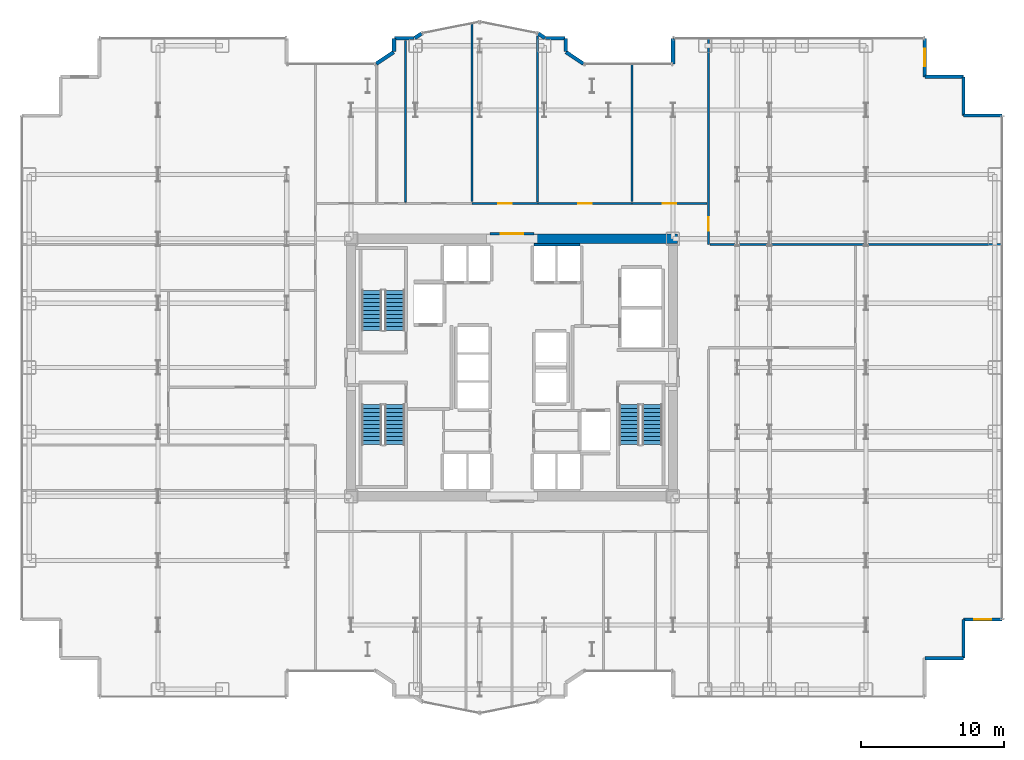
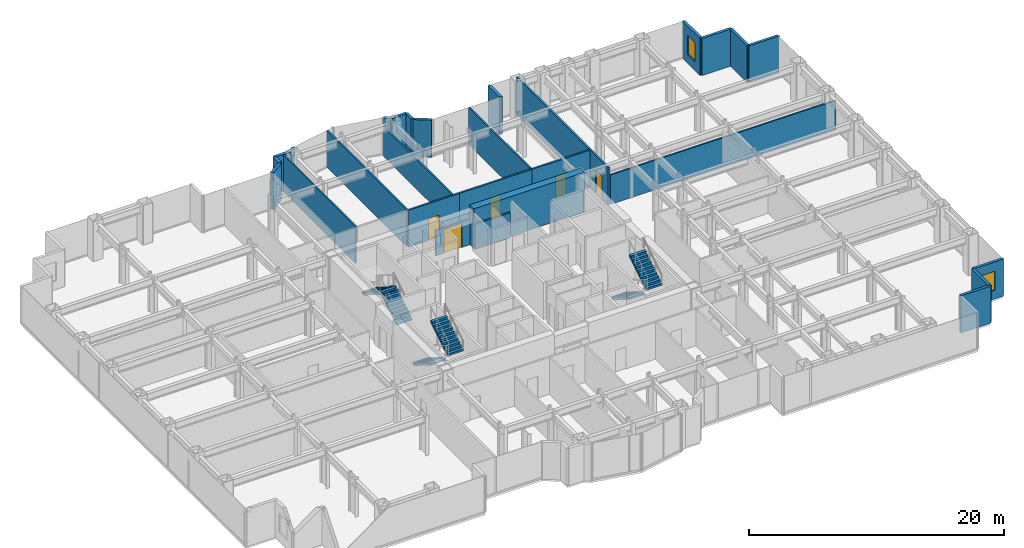
# One storey, part 24 of 25: 28 walls, 6 stair flights, 5 doors, 2 windows, 7 openings, 3 elements without a shape of their own.
"""IFC4 building model written with IfcOpenShell, lengths in metres."""

from ifc_helpers import new_model, si_unit, direction, frame, frame_2d, origin, place, context, subcontext, project, spatial, polyline, rectangle, outline, extrude, source, transform, mapped, material, layer, layer_set, type_object, element, fill, aggregate, save


model = new_model("IFC4")

# Units and contexts
model_context = context("Model", 3, precision=1e-05, world=origin(), true_north=direction((0.0, 1.0)))
body_context = subcontext(model_context, "Body", "Model", "MODEL_VIEW")
ifc_project = project(units=[si_unit("LENGTHUNIT", "METRE"), si_unit("AREAUNIT", "SQUARE_METRE"), si_unit("VOLUMEUNIT", "CUBIC_METRE"), si_unit("PLANEANGLEUNIT", "RADIAN"), si_unit("MASSUNIT", "GRAM", prefix="KILO")], contexts=[model_context])

# Site, building, storey
site_placement = place(None, origin())
site = spatial("IfcSite", under=ifc_project, at=site_placement, CompositionType="ELEMENT")
building_placement = place(site_placement, origin())
building = spatial("IfcBuilding", under=site, at=building_placement, Name="Nefas-Gora Pilgrimage Tower", CompositionType="ELEMENT")
storey_placement = place(building_placement, frame((0.0, 0.0, 71.0)))
storey = spatial("IfcBuildingStorey", under=building, at=storey_placement, Name="L16", CompositionType="ELEMENT", Elevation=71.0)

# Walls
ifc_material_1 = material(Name="Concrete C60/75", Category="concrete")
ifc_layer_1 = layer(ifc_material_1, 0.64990234375)
ifc_layer_set_1 = layer_set([ifc_layer_1], Name="Concrete C60/75")
wall_type_1 = type_object("IfcWallType", Name="SW-CORE-650", PredefinedType="SHEAR", material=ifc_layer_set_1)
shared_shape_1 = source(origin(), body_context, "Body", "SweptSolid", [
    extrude(rectangle(XDim=10.02490234375, YDim=0.64990234375, at=frame_2d((5.012451171875, 0.0))), origin(), (0.0, 0.0, 1.0), 3.800048828125),
])
wall_1_placement = place(storey_placement, frame((1.550048828125, 9.0, 0.0), z_axis=(0.0, 0.0, 1.0), x_axis=(1.0, 0.0, 0.0)))
element("IfcWall", 1, at=wall_1_placement, inside=storey, type_object=wall_type_1, Name="L16 Core Shear Wall N-East", PredefinedType="SHEAR", context=body_context, shape_type="MappedRepresentation", body=[
    mapped(shared_shape_1, transform((0.0, 0.0, 0.0), x_axis=(1.0, 0.0, 0.0), y_axis=(0.0, 1.0, 0.0), z_axis=(0.0, 0.0, 1.0), scale=1.0)),
])
ifc_material_2 = material(Name="Precast concrete C40/50", Category="concrete")
ifc_layer_2 = layer(ifc_material_2, 0.260009765625)
ifc_layer_set_2 = layer_set([ifc_layer_2], Name="Precast concrete C40/50")
wall_type_2 = type_object("IfcWallType", Name="EW-PORTAL-260", PredefinedType="SOLIDWALL", material=ifc_layer_set_2)
shared_shape_2 = source(origin(), body_context, "Body", "SweptSolid", [
    extrude(rectangle(XDim=1.800048828125, YDim=0.260009765625, at=frame_2d((0.89990234375, 0.0))), origin(), (0.0, 0.0, 1.0), 3.550048828125),
])
wall_2_placement = place(storey_placement, frame((11.25, 23.02001953125, 0.0), z_axis=(0.0, 0.0, 1.0), x_axis=(0.0, -1.0, 0.0)))
element("IfcWall", 2, at=wall_2_placement, inside=storey, type_object=wall_type_2, Name="L16 Lobe Shoulder Precast Spandrel Pier 10", PredefinedType="SOLIDWALL", context=body_context, shape_type="MappedRepresentation", body=[
    mapped(shared_shape_2, transform((0.0, 0.0, 0.0), x_axis=(1.0, 0.0, 0.0), y_axis=(0.0, 1.0, 0.0), z_axis=(0.0, 0.0, 1.0), scale=1.0)),
])
ifc_material_3 = material(Name="Precast concrete C45/55", Category="concrete")
ifc_layer_3 = layer(ifc_material_3, 0.239990234375)
ifc_layer_set_3 = layer_set([ifc_layer_3], Name="Precast concrete C45/55")
wall_type_3 = type_object("IfcWallType", Name="EW-SERR-240", PredefinedType="SHEAR", material=ifc_layer_set_3)
shared_shape_3 = source(origin(), body_context, "Body", "SweptSolid", [
    extrude(rectangle(XDim=2.699951171875, YDim=0.239990234375, at=frame_2d((1.35009765625, 0.0))), origin(), (0.0, 0.0, 1.0), 3.550048828125),
])
for number, where, z_axis, x_axis, name in (
    (3, (28.8701171875, -20.320068359375, 0.0), (0.0, 0.0, 1.0), (1.0, 0.0, 0.0), "L16 Serrated Corner Shear Pier Wall 3"),
    (4, (31.570068359375, -20.320068359375, 0.0), (0.0, 0.0, 1.0), (0.0, 1.0, 0.0), "L16 Serrated Corner Shear Pier Wall 4"),
):
    element("IfcWall", number, at=place(storey_placement, frame(where, z_axis=z_axis, x_axis=x_axis)), inside=storey, type_object=wall_type_3, Name=name, PredefinedType="SHEAR", context=body_context, shape_type="MappedRepresentation", body=[
        mapped(shared_shape_3, transform((0.0, 0.0, 0.0), x_axis=(1.0, 0.0, 0.0), y_axis=(0.0, 1.0, 0.0), z_axis=(0.0, 0.0, 1.0), scale=1.0)),
    ])

# Wall, opening, window
wall_3_placement = place(storey_placement, frame((31.570068359375, -17.6201171875, 0.0), z_axis=(0.0, 0.0, 1.0), x_axis=(1.0, 0.0, 0.0)))
wall_3 = element("IfcWall", 5, at=wall_3_placement, inside=storey, type_object=wall_type_3, Name="L16 Serrated Corner Shear Pier Wall 5", PredefinedType="SHEAR", context=body_context, shape_type="MappedRepresentation", body=[
    mapped(shared_shape_3, transform((0.0, 0.0, 0.0), x_axis=(1.0, 0.0, 0.0), y_axis=(0.0, 1.0, 0.0), z_axis=(0.0, 0.0, 1.0), scale=1.0)),
])
opening_1_placement = place(wall_3_placement, frame((0.75, 0.0, 0.85009765625)))
opening_1 = element("IfcOpeningElement", 6, at=opening_1_placement, cuts=wall_3, Name="Opening W-V1", PredefinedType="OPENING", context=body_context, shape_type="SweptSolid", body=[
    extrude(rectangle(XDim=1.199951171875, YDim=1.800048828125, at=frame_2d((0.60009765625, 0.89990234375))), frame((0.0, 0.1298828125, 0.0), z_axis=(0.0, -1.0, 0.0), x_axis=(1.0, 0.0, 0.0)), (0.0, 0.0, 1.0), 0.260009765625),
])
ifc_material_4 = material(Name="Dark ceramic-fritted operable aluminium-glass window", Category="aluminium")
window_type = type_object("IfcWindowType", Name="WIN-VENT-1200x1800", PartitioningType="SINGLE_PANEL", PredefinedType="WINDOW", material=ifc_material_4)
shared_shape_4 = source(origin(), body_context, "Body", "SweptSolid", [
    extrude(rectangle(XDim=1.199951171875, YDim=1.800048828125, at=frame_2d((0.60009765625, 0.89990234375))), frame((0.0, 0.030029296875, 0.0), z_axis=(0.0, -1.0, 0.0), x_axis=(1.0, 0.0, 0.0)), (0.0, 0.0, 1.0), 0.06005859375),
])
window_1_placement = place(opening_1_placement, origin())
window_1 = element("IfcWindow", 7, at=window_1_placement, inside=storey, type_object=window_type, Name="L16 Operable Parallel-Outswing Window 5", OverallHeight=1.800048828125, OverallWidth=1.199951171875, PartitioningType="SINGLE_PANEL", PredefinedType="WINDOW", context=body_context, shape_type="MappedRepresentation", body=[
    mapped(shared_shape_4, transform((0.0, 0.0, 0.0), x_axis=(1.0, 0.0, 0.0), y_axis=(0.0, 1.0, 0.0), z_axis=(0.0, 0.0, 1.0), scale=1.0)),
])
fill(opening_1, window_1)

# Walls
for number, where, z_axis, x_axis, name in (
    (8, (34.27001953125, 17.6201171875, 0.0), (0.0, 0.0, 1.0), (-1.0, 0.0, 0.0), "L16 Serrated Corner Shear Pier Wall 6"),
    (9, (31.570068359375, 17.6201171875, 0.0), (0.0, 0.0, 1.0), (0.0, 1.0, 0.0), "L16 Serrated Corner Shear Pier Wall 7"),
    (10, (31.570068359375, 20.320068359375, 0.0), (0.0, 0.0, 1.0), (-1.0, 0.0, 0.0), "L16 Serrated Corner Shear Pier Wall 8"),
):
    element("IfcWall", number, at=place(storey_placement, frame(where, z_axis=z_axis, x_axis=x_axis)), inside=storey, type_object=wall_type_3, Name=name, PredefinedType="SHEAR", context=body_context, shape_type="MappedRepresentation", body=[
        mapped(shared_shape_3, transform((0.0, 0.0, 0.0), x_axis=(1.0, 0.0, 0.0), y_axis=(0.0, 1.0, 0.0), z_axis=(0.0, 0.0, 1.0), scale=1.0)),
    ])

# Wall, opening, window
wall_4_placement = place(storey_placement, frame((28.8701171875, 20.320068359375, 0.0), z_axis=(0.0, 0.0, 1.0), x_axis=(0.0, 1.0, 0.0)))
wall_4 = element("IfcWall", 11, at=wall_4_placement, inside=storey, type_object=wall_type_3, Name="L16 Serrated Corner Shear Pier Wall 9", PredefinedType="SHEAR", context=body_context, shape_type="MappedRepresentation", body=[
    mapped(shared_shape_3, transform((0.0, 0.0, 0.0), x_axis=(1.0, 0.0, 0.0), y_axis=(0.0, 1.0, 0.0), z_axis=(0.0, 0.0, 1.0), scale=1.0)),
])
opening_2_placement = place(wall_4_placement, frame((0.75, 0.0, 0.85009765625)))
opening_2 = element("IfcOpeningElement", 12, at=opening_2_placement, cuts=wall_4, Name="Opening W-V1", PredefinedType="OPENING", context=body_context, shape_type="SweptSolid", body=[
    extrude(rectangle(XDim=1.199951171875, YDim=1.800048828125, at=frame_2d((0.60009765625, 0.89990234375))), frame((0.0, 0.1298828125, 0.0), z_axis=(0.0, -1.0, 0.0), x_axis=(1.0, 0.0, 0.0)), (0.0, 0.0, 1.0), 0.260009765625),
])
window_2_placement = place(opening_2_placement, origin())
window_2 = element("IfcWindow", 13, at=window_2_placement, inside=storey, type_object=window_type, Name="L16 Operable Parallel-Outswing Window 9", OverallHeight=1.800048828125, OverallWidth=1.199951171875, PartitioningType="SINGLE_PANEL", PredefinedType="WINDOW", context=body_context, shape_type="MappedRepresentation", body=[
    mapped(shared_shape_4, transform((0.0, 0.0, 0.0), x_axis=(1.0, 0.0, 0.0), y_axis=(0.0, 1.0, 0.0), z_axis=(0.0, 0.0, 1.0), scale=1.0)),
])
fill(opening_2, window_2)

# Walls
shared_shape_5 = source(origin(), body_context, "Body", "SweptSolid", [
    extrude(rectangle(XDim=1.468994140625, YDim=0.260009765625, at=frame_2d((0.734375, 0.0))), origin(), (0.0, 0.0, 1.0), 3.550048828125),
])
for number, where, z_axis, x_axis, name in (
    (14, (4.99462890625, 21.235595703125, 0.0), (0.0, 0.0, 1.0), (-0.831461760506, 0.555581983884, 0.0), "L16 Lobe Shoulder Precast Spandrel Pier 11"),
    (15, (-8.273193359375, 22.0517578125, 0.0), (0.0, 0.0, 1.0), (-0.831461760506, -0.555581983884, 0.0), "L16 Lobe Shoulder Precast Spandrel Pier 18"),
):
    element("IfcWall", number, at=place(storey_placement, frame(where, z_axis=z_axis, x_axis=x_axis)), inside=storey, type_object=wall_type_2, Name=name, PredefinedType="SOLIDWALL", context=body_context, shape_type="MappedRepresentation", body=[
        mapped(shared_shape_5, transform((0.0, 0.0, 0.0), x_axis=(1.0, 0.0, 0.0), y_axis=(0.0, 1.0, 0.0), z_axis=(0.0, 0.0, 1.0), scale=1.0)),
    ])
shared_shape_6 = source(origin(), body_context, "Body", "SweptSolid", [
    extrude(rectangle(XDim=0.896728515625, YDim=0.260009765625, at=frame_2d((0.4482421875, 0.0))), origin(), (0.0, 0.0, 1.0), 3.550048828125),
])
for number, where, z_axis, x_axis, name in (
    (16, (3.75, 22.09521484375, 0.0), (0.0, 0.0, 1.0), (0.0, 1.0, 0.0), "L16 Lobe Shoulder Precast Spandrel Pier 12"),
    (17, (-8.25, 22.991943359375, 0.0), (0.0, 0.0, 1.0), (0.0, -1.0, 0.0), "L16 Lobe Shoulder Precast Spandrel Pier 17"),
):
    element("IfcWall", number, at=place(storey_placement, frame(where, z_axis=z_axis, x_axis=x_axis)), inside=storey, type_object=wall_type_2, Name=name, PredefinedType="SOLIDWALL", context=body_context, shape_type="MappedRepresentation", body=[
        mapped(shared_shape_6, transform((0.0, 0.0, 0.0), x_axis=(1.0, 0.0, 0.0), y_axis=(0.0, 1.0, 0.0), z_axis=(0.0, 0.0, 1.0), scale=1.0)),
    ])
shared_shape_7 = source(origin(), body_context, "Body", "SweptSolid", [
    extrude(rectangle(XDim=1.369873046875, YDim=0.260009765625, at=frame_2d((0.68505859375, 0.0))), origin(), (0.0, 0.0, 1.0), 3.550048828125),
])
for number, where, z_axis, x_axis, name in (
    (18, (3.721923828125, 23.02001953125, 0.0), (0.0, 0.0, 1.0), (-1.0, 0.0, 0.0), "L16 Lobe Shoulder Precast Spandrel Pier 13"),
    (19, (-6.85205078125, 23.02001953125, 0.0), (0.0, 0.0, 1.0), (-1.0, 0.0, 0.0), "L16 Lobe Shoulder Precast Spandrel Pier 16"),
):
    element("IfcWall", number, at=place(storey_placement, frame(where, z_axis=z_axis, x_axis=x_axis)), inside=storey, type_object=wall_type_2, Name=name, PredefinedType="SOLIDWALL", context=body_context, shape_type="MappedRepresentation", body=[
        mapped(shared_shape_7, transform((0.0, 0.0, 0.0), x_axis=(1.0, 0.0, 0.0), y_axis=(0.0, 1.0, 0.0), z_axis=(0.0, 0.0, 1.0), scale=1.0)),
    ])
shared_shape_8 = source(origin(), body_context, "Body", "SweptSolid", [
    extrude(rectangle(XDim=0.5654296875, YDim=0.260009765625, at=frame_2d((0.28271484375, 0.0))), origin(), (0.0, 0.0, 1.0), 3.550048828125),
])
for number, where, z_axis, x_axis, name in (
    (20, (2.30078125, 23.03564453125, 0.0), (0.0, 0.0, 1.0), (-0.831651492666, 0.555297933317, 0.0), "L16 Lobe Shoulder Precast Spandrel Pier 14"),
    (21, (-6.33056640625, 23.349609375, 0.0), (0.0, 0.0, 1.0), (-0.831651492666, -0.555297933317, 0.0), "L16 Lobe Shoulder Precast Spandrel Pier 15"),
):
    element("IfcWall", number, at=place(storey_placement, frame(where, z_axis=z_axis, x_axis=x_axis)), inside=storey, type_object=wall_type_2, Name=name, PredefinedType="SOLIDWALL", context=body_context, shape_type="MappedRepresentation", body=[
        mapped(shared_shape_8, transform((0.0, 0.0, 0.0), x_axis=(1.0, 0.0, 0.0), y_axis=(0.0, 1.0, 0.0), z_axis=(0.0, 0.0, 1.0), scale=1.0)),
    ])
ifc_material_5 = material(Name="Gypsum acoustic stud partition")
ifc_layer_4 = layer(ifc_material_5, 0.159912109375)
ifc_layer_set_4 = layer_set([ifc_layer_4], Name="Gypsum acoustic stud partition")
wall_type_4 = type_object("IfcWallType", Name="IW-CORR-160", PredefinedType="PARTITIONING", material=ifc_layer_set_4)
shared_shape_9 = source(origin(), body_context, "Body", "SweptSolid", [
    extrude(rectangle(XDim=3.199951171875, YDim=0.159912109375, at=frame_2d((1.60009765625, 0.0))), origin(), (0.0, 0.0, 1.0), 2.425048828125),
])
wall_5_placement = place(storey_placement, frame((4.75, 8.580078125, 0.0), z_axis=(0.0, 0.0, 1.0), x_axis=(-1.0, 0.0, 0.0)))
element("IfcWall", 22, at=wall_5_placement, inside=storey, type_object=wall_type_4, Name="L16 Hoistway Wall PL1-E-N", PredefinedType="PARTITIONING", context=body_context, shape_type="MappedRepresentation", body=[
    mapped(shared_shape_9, transform((0.0, 0.0, 0.0), x_axis=(1.0, 0.0, 0.0), y_axis=(0.0, 1.0, 0.0), z_axis=(0.0, 0.0, 1.0), scale=1.0)),
])

# Wall, opening, door
shared_shape_10 = source(origin(), body_context, "Body", "SweptSolid", [
    extrude(rectangle(XDim=3.08984375, YDim=0.159912109375, at=frame_2d((1.544921875, 0.0))), origin(), (0.0, 0.0, 1.0), 2.425048828125),
])
wall_6_placement = place(storey_placement, frame((-1.544921875, 9.35009765625, 0.0), z_axis=(0.0, 0.0, 1.0), x_axis=(1.0, 0.0, 0.0)))
wall_6 = element("IfcWall", 23, at=wall_6_placement, inside=storey, type_object=wall_type_4, Name="L16 Central Lift Lobby North Portal Wall 13", PredefinedType="PARTITIONING", context=body_context, shape_type="MappedRepresentation", body=[
    mapped(shared_shape_10, transform((0.0, 0.0, 0.0), x_axis=(1.0, 0.0, 0.0), y_axis=(0.0, 1.0, 0.0), z_axis=(0.0, 0.0, 1.0), scale=1.0)),
])
opening_3_placement = place(wall_6_placement, frame((0.7451171875, 0.0, 0.0)))
opening_3 = element("IfcOpeningElement", 24, at=opening_3_placement, cuts=wall_6, Name="Opening ID-HL1", PredefinedType="OPENING", context=body_context, shape_type="SweptSolid", body=[
    extrude(rectangle(XDim=1.60009765625, YDim=2.300048828125, at=frame_2d((0.800048828125, 1.14990234375))), frame((0.0, 0.08984375, 0.0), z_axis=(0.0, -1.0, 0.0), x_axis=(1.0, 0.0, 0.0)), (0.0, 0.0, 1.0), 0.179931640625),
])
ifc_material_6 = material(Name="Double acoustic timber assembly hall door", Category="wood")
door_type_1 = type_object("IfcDoorType", Name="DR-INT-HALL-1600", OperationType="DOUBLE_DOOR_SINGLE_SWING", PredefinedType="DOOR", material=ifc_material_6)
shared_shape_11 = source(origin(), body_context, "Body", "SweptSolid", [
    extrude(rectangle(XDim=1.60009765625, YDim=2.300048828125, at=frame_2d((0.800048828125, 1.14990234375))), frame((0.0, 0.02490234375, 0.0), z_axis=(0.0, -1.0, 0.0), x_axis=(1.0, 0.0, 0.0)), (0.0, 0.0, 1.0), 0.050048828125),
])
door_1_placement = place(opening_3_placement, origin())
door_1 = element("IfcDoor", 25, at=door_1_placement, inside=storey, type_object=door_type_1, Name="L16 Central Lift Lobby North Portal Door 4", OperationType="DOUBLE_DOOR_SINGLE_SWING", OverallHeight=2.300048828125, OverallWidth=1.60009765625, PredefinedType="DOOR", context=body_context, shape_type="MappedRepresentation", body=[
    mapped(shared_shape_11, transform((0.0, 0.0, 0.0), x_axis=(1.0, 0.0, 0.0), y_axis=(0.0, 1.0, 0.0), z_axis=(0.0, 0.0, 1.0), scale=1.0)),
])
fill(opening_3, door_1)

# Walls
ifc_material_7 = material(Name="Moisture-resistant fire-rated gypsum partition")
ifc_layer_5 = layer(ifc_material_7, 0.1201171875)
ifc_layer_set_5 = layer_set([ifc_layer_5], Name="Moisture-resistant fire-rated gypsum partition")
wall_type_5 = type_object("IfcWallType", Name="IW-WET-120", PredefinedType="PLUMBINGWALL", material=ifc_layer_set_5)
shared_shape_12 = source(origin(), body_context, "Body", "SweptSolid", [
    extrude(rectangle(XDim=11.280029296875, YDim=0.1201171875, at=frame_2d((5.64013671875, 0.0))), origin(), (0.0, 0.0, 1.0), 3.534912109375),
])
wall_7_placement = place(storey_placement, frame((-7.449951171875, 11.570068359375, 0.0), z_axis=(0.0, 0.0, 1.0), x_axis=(0.0, 1.0, 0.0)))
element("IfcWall", 26, at=wall_7_placement, inside=storey, type_object=wall_type_5, Name="L16 Accessible Unisex WC Partition Wall 26", PredefinedType="PLUMBINGWALL", context=body_context, shape_type="MappedRepresentation", body=[
    mapped(shared_shape_12, transform((0.0, 0.0, 0.0), x_axis=(1.0, 0.0, 0.0), y_axis=(0.0, 1.0, 0.0), z_axis=(0.0, 0.0, 1.0), scale=1.0)),
])
ifc_material_8 = material(Name="Gypsum twin-stud partition")
ifc_layer_6 = layer(ifc_material_8, 0.139892578125)
ifc_layer_set_6 = layer_set([ifc_layer_6], Name="Gypsum twin-stud partition")
wall_type_6 = type_object("IfcWallType", Name="IW-UNIT-140", PredefinedType="PARTITIONING", material=ifc_layer_set_6)
shared_shape_13 = source(origin(), body_context, "Body", "SweptSolid", [
    extrude(rectangle(XDim=9.64990234375, YDim=0.139892578125, at=frame_2d((4.824951171875, 0.0))), origin(), (0.0, 0.0, 1.0), 3.534912109375),
])
wall_8_placement = place(storey_placement, frame((8.39501953125, 11.590087890625, 0.0), z_axis=(0.0, 0.0, 1.0), x_axis=(0.0, 1.0, 0.0)))
element("IfcWall", 27, at=wall_8_placement, inside=storey, type_object=wall_type_6, Name="L16 Pilgrim Contemplative Lounge Partition Wall 52", PredefinedType="PARTITIONING", context=body_context, shape_type="MappedRepresentation", body=[
    mapped(shared_shape_13, transform((0.0, 0.0, 0.0), x_axis=(1.0, 0.0, 0.0), y_axis=(0.0, 1.0, 0.0), z_axis=(0.0, 0.0, 1.0), scale=1.0)),
])

# Wall, opening, door
shared_shape_14 = source(origin(), body_context, "Body", "SweptSolid", [
    extrude(rectangle(XDim=5.22509765625, YDim=0.159912109375, at=frame_2d((2.612548828125, 0.0))), origin(), (0.0, 0.0, 1.0), 3.534912109375),
])
wall_9_placement = place(storey_placement, frame((8.39501953125, 11.469970703125, 0.0), z_axis=(0.0, 0.0, 1.0), x_axis=(1.0, 0.0, 0.0)))
wall_9 = element("IfcWall", 28, at=wall_9_placement, inside=storey, type_object=wall_type_4, Name="L16 Pilgrim Contemplative Lounge Partition Wall 53", PredefinedType="PARTITIONING", context=body_context, shape_type="MappedRepresentation", body=[
    mapped(shared_shape_14, transform((0.0, 0.0, 0.0), x_axis=(1.0, 0.0, 0.0), y_axis=(0.0, 1.0, 0.0), z_axis=(0.0, 0.0, 1.0), scale=1.0)),
])
opening_4_placement = place(wall_9_placement, frame((2.137451171875, 0.0, 0.0)))
opening_4 = element("IfcOpeningElement", 29, at=opening_4_placement, cuts=wall_9, Name="Opening ID-GR1", PredefinedType="OPENING", context=body_context, shape_type="SweptSolid", body=[
    extrude(rectangle(XDim=0.949951171875, YDim=2.10009765625, at=frame_2d((0.47509765625, 1.050048828125))), frame((0.0, 0.08984375, 0.0), z_axis=(0.0, -1.0, 0.0), x_axis=(1.0, 0.0, 0.0)), (0.0, 0.0, 1.0), 0.179931640625),
])
ifc_material_9 = material(Name="Solid core oak fire-rated guest entrance door")
door_type_2 = type_object("IfcDoorType", Name="DR-INT-GUEST-950", OperationType="NOTDEFINED", PredefinedType="DOOR", material=ifc_material_9)
shared_shape_15 = source(origin(), body_context, "Body", "SweptSolid", [
    extrude(rectangle(XDim=0.949951171875, YDim=2.10009765625, at=frame_2d((0.47509765625, 1.050048828125))), frame((0.0, 0.02490234375, 0.0), z_axis=(0.0, -1.0, 0.0), x_axis=(1.0, 0.0, 0.0)), (0.0, 0.0, 1.0), 0.050048828125),
])
door_2_placement = place(opening_4_placement, origin())
door_2 = element("IfcDoor", 30, at=door_2_placement, inside=storey, type_object=door_type_2, Name="L16 Pilgrim Contemplative Lounge Door 25", OperationType="SINGLE_SWING_RIGHT", OverallHeight=2.10009765625, OverallWidth=0.949951171875, PredefinedType="DOOR", context=body_context, shape_type="MappedRepresentation", body=[
    mapped(shared_shape_15, transform((0.0, 0.0, 0.0), x_axis=(1.0, 0.0, 0.0), y_axis=(0.0, 1.0, 0.0), z_axis=(0.0, 0.0, 1.0), scale=1.0)),
])
fill(opening_4, door_2)

# Wall
shared_shape_16 = source(origin(), body_context, "Body", "SweptSolid", [
    extrude(rectangle(XDim=20.429931640625, YDim=0.139892578125, at=frame_2d((10.21484375, 0.0))), origin(), (0.0, 0.0, 1.0), 2.824951171875),
])
wall_10_placement = place(storey_placement, frame((13.860107421875, 8.597412109375, 0.0), z_axis=(0.0, 0.0, 1.0), x_axis=(1.0, 0.0, 0.0)))
element("IfcWall", 31, at=wall_10_placement, inside=storey, type_object=wall_type_6, Name="L16 Pilgrim Contemplative Lounge Partition Wall 42", PredefinedType="PARTITIONING", context=body_context, shape_type="MappedRepresentation", body=[
    mapped(shared_shape_16, transform((0.0, 0.0, 0.0), x_axis=(1.0, 0.0, 0.0), y_axis=(0.0, 1.0, 0.0), z_axis=(0.0, 0.0, 1.0), scale=1.0)),
])

# Wall, opening, door
shared_shape_17 = source(origin(), body_context, "Body", "SweptSolid", [
    extrude(rectangle(XDim=4.60498046875, YDim=0.159912109375, at=frame_2d((2.302490234375, 0.0))), origin(), (0.0, 0.0, 1.0), 3.534912109375),
])
wall_11_placement = place(storey_placement, frame((-2.800048828125, 11.469970703125, 0.0), z_axis=(0.0, 0.0, 1.0), x_axis=(1.0, 0.0, 0.0)))
wall_11 = element("IfcWall", 32, at=wall_11_placement, inside=storey, type_object=wall_type_4, Name="L16 Pilgrim Contemplative Lounge Partition Wall 49", PredefinedType="PARTITIONING", context=body_context, shape_type="MappedRepresentation", body=[
    mapped(shared_shape_17, transform((0.0, 0.0, 0.0), x_axis=(1.0, 0.0, 0.0), y_axis=(0.0, 1.0, 0.0), z_axis=(0.0, 0.0, 1.0), scale=1.0)),
])
opening_5_placement = place(wall_11_placement, frame((1.827392578125, 0.0, 0.0)))
opening_5 = element("IfcOpeningElement", 33, at=opening_5_placement, cuts=wall_11, Name="Opening ID-GR1", PredefinedType="OPENING", context=body_context, shape_type="SweptSolid", body=[
    extrude(rectangle(XDim=0.949951171875, YDim=2.10009765625, at=frame_2d((0.47509765625, 1.050048828125))), frame((0.0, 0.08984375, 0.0), z_axis=(0.0, -1.0, 0.0), x_axis=(1.0, 0.0, 0.0)), (0.0, 0.0, 1.0), 0.179931640625),
])
door_3_placement = place(opening_5_placement, origin())
door_3 = element("IfcDoor", 34, at=door_3_placement, inside=storey, type_object=door_type_2, Name="L16 Pilgrim Contemplative Lounge Door 23", OperationType="SINGLE_SWING_RIGHT", OverallHeight=2.10009765625, OverallWidth=0.949951171875, PredefinedType="DOOR", context=body_context, shape_type="MappedRepresentation", body=[
    mapped(shared_shape_15, transform((0.0, 0.0, 0.0), x_axis=(1.0, 0.0, 0.0), y_axis=(0.0, 1.0, 0.0), z_axis=(0.0, 0.0, 1.0), scale=1.0)),
])
fill(opening_5, door_3)

# Walls
shared_shape_18 = source(origin(), body_context, "Body", "SweptSolid", [
    extrude(rectangle(XDim=12.4951171875, YDim=0.139892578125, at=frame_2d((6.24755859375, 0.0))), origin(), (0.0, 0.0, 1.0), 3.534912109375),
])
wall_12_placement = place(storey_placement, frame((-2.81005859375, 11.590087890625, 0.0), z_axis=(0.0, 0.0, 1.0), x_axis=(0.0, 1.0, 0.0)))
element("IfcWall", 35, at=wall_12_placement, inside=storey, type_object=wall_type_6, Name="L16 Pilgrim Contemplative Lounge Partition Wall 48", PredefinedType="PARTITIONING", context=body_context, shape_type="MappedRepresentation", body=[
    mapped(shared_shape_18, transform((0.0, 0.0, 0.0), x_axis=(1.0, 0.0, 0.0), y_axis=(0.0, 1.0, 0.0), z_axis=(0.0, 0.0, 1.0), scale=1.0)),
])
shared_shape_19 = source(origin(), body_context, "Body", "SweptSolid", [
    extrude(rectangle(XDim=11.581298828125, YDim=0.139892578125, at=frame_2d((5.79052734375, 0.0))), origin(), (0.0, 0.0, 1.0), 2.824951171875),
])
wall_13_placement = place(storey_placement, frame((1.794921875, 11.590087890625, 0.0), z_axis=(0.0, 0.0, 1.0), x_axis=(0.0, 1.0, 0.0)))
element("IfcWall", 36, at=wall_13_placement, inside=storey, type_object=wall_type_6, Name="L16 Pilgrim Contemplative Lounge Partition Wall 50", PredefinedType="PARTITIONING", context=body_context, shape_type="MappedRepresentation", body=[
    mapped(shared_shape_19, transform((0.0, 0.0, 0.0), x_axis=(1.0, 0.0, 0.0), y_axis=(0.0, 1.0, 0.0), z_axis=(0.0, 0.0, 1.0), scale=1.0)),
])

# Wall, opening, door
shared_shape_20 = source(origin(), body_context, "Body", "SweptSolid", [
    extrude(rectangle(XDim=14.45263671875, YDim=0.159912109375, at=frame_2d((7.226318359375, 0.0))), origin(), (0.0, 0.0, 1.0), 3.534912109375),
])
wall_14_placement = place(storey_placement, frame((13.739990234375, 8.58740234375, 0.0), z_axis=(0.0, 0.0, 1.0), x_axis=(0.0, 1.0, 0.0)))
wall_14 = element("IfcWall", 37, at=wall_14_placement, inside=storey, type_object=wall_type_4, Name="L16 Pilgrim Contemplative Lounge Partition Wall 41", PredefinedType="PARTITIONING", context=body_context, shape_type="MappedRepresentation", body=[
    mapped(shared_shape_20, transform((0.0, 0.0, 0.0), x_axis=(1.0, 0.0, 0.0), y_axis=(0.0, 1.0, 0.0), z_axis=(0.0, 0.0, 1.0), scale=1.0)),
])
opening_6_placement = place(wall_14_placement, frame((0.986083984375, 0.0, 0.0)))
opening_6 = element("IfcOpeningElement", 38, at=opening_6_placement, cuts=wall_14, Name="Opening ID-GR1", PredefinedType="OPENING", context=body_context, shape_type="SweptSolid", body=[
    extrude(rectangle(XDim=0.949951171875, YDim=2.10009765625, at=frame_2d((0.47509765625, 1.050048828125))), frame((0.0, 0.08984375, 0.0), z_axis=(0.0, -1.0, 0.0), x_axis=(1.0, 0.0, 0.0)), (0.0, 0.0, 1.0), 0.179931640625),
])
door_4_placement = place(opening_6_placement, origin())
door_4 = element("IfcDoor", 39, at=door_4_placement, inside=storey, type_object=door_type_2, Name="L16 Pilgrim Contemplative Lounge Door 18", OperationType="SINGLE_SWING_LEFT", OverallHeight=2.10009765625, OverallWidth=0.949951171875, PredefinedType="DOOR", context=body_context, shape_type="MappedRepresentation", body=[
    mapped(shared_shape_15, transform((0.0, 0.0, 0.0), x_axis=(1.0, 0.0, 0.0), y_axis=(0.0, 1.0, 0.0), z_axis=(0.0, 0.0, 1.0), scale=1.0)),
])
fill(opening_6, door_4)

shared_shape_21 = source(origin(), body_context, "Body", "SweptSolid", [
    extrude(rectangle(XDim=6.610107421875, YDim=0.159912109375, at=frame_2d((3.30517578125, 0.0))), origin(), (0.0, 0.0, 1.0), 3.534912109375),
])
wall_15_placement = place(storey_placement, frame((1.794921875, 11.469970703125, 0.0), z_axis=(0.0, 0.0, 1.0), x_axis=(1.0, 0.0, 0.0)))
wall_15 = element("IfcWall", 40, at=wall_15_placement, inside=storey, type_object=wall_type_4, Name="L16 Pilgrim Contemplative Lounge Partition Wall 51", PredefinedType="PARTITIONING", context=body_context, shape_type="MappedRepresentation", body=[
    mapped(shared_shape_21, transform((0.0, 0.0, 0.0), x_axis=(1.0, 0.0, 0.0), y_axis=(0.0, 1.0, 0.0), z_axis=(0.0, 0.0, 1.0), scale=1.0)),
])
opening_7_placement = place(wall_15_placement, frame((2.830078125, 0.0, 0.0)))
opening_7 = element("IfcOpeningElement", 41, at=opening_7_placement, cuts=wall_15, Name="Opening ID-GR1", PredefinedType="OPENING", context=body_context, shape_type="SweptSolid", body=[
    extrude(rectangle(XDim=0.949951171875, YDim=2.10009765625, at=frame_2d((0.47509765625, 1.050048828125))), frame((0.0, 0.08984375, 0.0), z_axis=(0.0, -1.0, 0.0), x_axis=(1.0, 0.0, 0.0)), (0.0, 0.0, 1.0), 0.179931640625),
])
door_5_placement = place(opening_7_placement, origin())
door_5 = element("IfcDoor", 42, at=door_5_placement, inside=storey, type_object=door_type_2, Name="L16 Pilgrim Contemplative Lounge Door 24", OperationType="SINGLE_SWING_LEFT", OverallHeight=2.10009765625, OverallWidth=0.949951171875, PredefinedType="DOOR", context=body_context, shape_type="MappedRepresentation", body=[
    mapped(shared_shape_15, transform((0.0, 0.0, 0.0), x_axis=(1.0, 0.0, 0.0), y_axis=(0.0, 1.0, 0.0), z_axis=(0.0, 0.0, 1.0), scale=1.0)),
])
fill(opening_7, door_5)

# Stair, stair flights
ifc_material_10 = material(Name="Concrete C45/55", Category="concrete")
stair_type = type_object("IfcStairType", Name="STR-1400-R1727", PredefinedType="HALF_TURN_STAIR", material=ifc_material_10)
stair_1_placement = place(storey_placement, origin())
stair_1 = element("IfcStair", 43, at=stair_1_placement, inside=storey, type_object=stair_type, Name="L16 Pressurised Tower Exit Stair ST-01", PredefinedType="HALF_TURN_STAIR")
stair_flight_type = type_object("IfcStairFlightType", Name="STF-1400-R1727", PredefinedType="STRAIGHT", material=ifc_material_10)
shared_shape_22 = source(origin(), body_context, "Body", "SweptSolid", [
    extrude(outline(polyline([(0.0, 0.0), (0.0, 0.172607421875), (0.280029296875, 0.172607421875), (0.280029296875, 0.345458984375), (0.56005859375, 0.345458984375), (0.56005859375, 0.51806640625), (0.840087890625, 0.51806640625), (0.840087890625, 0.69091796875), (1.1201171875, 0.69091796875), (1.1201171875, 0.863525390625), (1.39990234375, 0.863525390625), (1.39990234375, 1.036376953125), (1.679931640625, 1.036376953125), (1.679931640625, 1.208984375), (1.9599609375, 1.208984375), (1.9599609375, 1.3818359375), (2.239990234375, 1.3818359375), (2.239990234375, 1.554443359375), (2.52001953125, 1.554443359375), (2.52001953125, 1.727294921875), (2.800048828125, 1.727294921875), (2.800048828125, 1.89990234375), (2.800048828125, 1.551025390625), (0.285400390625, 0.0), (0.0, 0.0)])), frame((0.0, 0.699951171875, 0.0), z_axis=(0.0, -1.0, 0.0), x_axis=(1.0, 0.0, 0.0)), (0.0, 0.0, 1.0), 1.39990234375),
])
stair_flight_1_placement = place(storey_placement, frame((-8.199951171875, 2.60009765625, 0.0), z_axis=(0.0, 0.0, 1.0), x_axis=(0.0, 1.0, 0.0)))
stair_flight_1 = element("IfcStairFlight", 44, at=stair_flight_1_placement, type_object=stair_flight_type, Name="ST-01 flight 1", NumberOfRisers=11, NumberOfTreads=10, PredefinedType="STRAIGHT", RiserHeight=0.172727273, TreadLength=0.28, context=body_context, shape_type="MappedRepresentation", body=[
    mapped(shared_shape_22, transform((0.0, 0.0, 0.0), x_axis=(1.0, 0.0, 0.0), y_axis=(0.0, 1.0, 0.0), z_axis=(0.0, 0.0, 1.0), scale=1.0)),
])
stair_flight_2_placement = place(storey_placement, frame((-9.800048828125, 5.39990234375, 1.89990234375), z_axis=(0.0, 0.0, 1.0), x_axis=(0.0, -1.0, 0.0)))
stair_flight_2 = element("IfcStairFlight", 45, at=stair_flight_2_placement, type_object=stair_flight_type, Name="ST-01 flight 2", NumberOfRisers=11, NumberOfTreads=10, PredefinedType="STRAIGHT", RiserHeight=0.172727273, TreadLength=0.28, context=body_context, shape_type="MappedRepresentation", body=[
    mapped(shared_shape_22, transform((0.0, 0.0, 0.0), x_axis=(1.0, 0.0, 0.0), y_axis=(0.0, 1.0, 0.0), z_axis=(0.0, 0.0, 1.0), scale=1.0)),
])
aggregate(stair_1, [stair_flight_1, stair_flight_2])

stair_2_placement = place(storey_placement, origin())
stair_2 = element("IfcStair", 46, at=stair_2_placement, inside=storey, type_object=stair_type, Name="L16 Pressurised Tower Exit Stair ST-02", PredefinedType="HALF_TURN_STAIR")
stair_flight_3_placement = place(storey_placement, frame((8.199951171875, -2.60009765625, 0.0), z_axis=(0.0, 0.0, 1.0), x_axis=(0.0, -1.0, 0.0)))
stair_flight_3 = element("IfcStairFlight", 47, at=stair_flight_3_placement, type_object=stair_flight_type, Name="ST-02 flight 1", NumberOfRisers=11, NumberOfTreads=10, PredefinedType="STRAIGHT", RiserHeight=0.172727273, TreadLength=0.28, context=body_context, shape_type="MappedRepresentation", body=[
    mapped(shared_shape_22, transform((0.0, 0.0, 0.0), x_axis=(1.0, 0.0, 0.0), y_axis=(0.0, 1.0, 0.0), z_axis=(0.0, 0.0, 1.0), scale=1.0)),
])
stair_flight_4_placement = place(storey_placement, frame((9.800048828125, -5.39990234375, 1.89990234375), z_axis=(0.0, 0.0, 1.0), x_axis=(0.0, 1.0, 0.0)))
stair_flight_4 = element("IfcStairFlight", 48, at=stair_flight_4_placement, type_object=stair_flight_type, Name="ST-02 flight 2", NumberOfRisers=11, NumberOfTreads=10, PredefinedType="STRAIGHT", RiserHeight=0.172727273, TreadLength=0.28, context=body_context, shape_type="MappedRepresentation", body=[
    mapped(shared_shape_22, transform((0.0, 0.0, 0.0), x_axis=(1.0, 0.0, 0.0), y_axis=(0.0, 1.0, 0.0), z_axis=(0.0, 0.0, 1.0), scale=1.0)),
])
aggregate(stair_2, [stair_flight_3, stair_flight_4])

stair_3_placement = place(storey_placement, origin())
stair_3 = element("IfcStair", 49, at=stair_3_placement, inside=storey, type_object=stair_type, Name="L16 Pressurised Tower Exit Stair ST-03", PredefinedType="HALF_TURN_STAIR")
stair_flight_5_placement = place(storey_placement, frame((-9.800048828125, -2.60009765625, 0.0), z_axis=(0.0, 0.0, 1.0), x_axis=(0.0, -1.0, 0.0)))
stair_flight_5 = element("IfcStairFlight", 50, at=stair_flight_5_placement, type_object=stair_flight_type, Name="ST-03 flight 1", NumberOfRisers=11, NumberOfTreads=10, PredefinedType="STRAIGHT", RiserHeight=0.172727273, TreadLength=0.28, context=body_context, shape_type="MappedRepresentation", body=[
    mapped(shared_shape_22, transform((0.0, 0.0, 0.0), x_axis=(1.0, 0.0, 0.0), y_axis=(0.0, 1.0, 0.0), z_axis=(0.0, 0.0, 1.0), scale=1.0)),
])
stair_flight_6_placement = place(storey_placement, frame((-8.199951171875, -5.39990234375, 1.89990234375), z_axis=(0.0, 0.0, 1.0), x_axis=(0.0, 1.0, 0.0)))
stair_flight_6 = element("IfcStairFlight", 51, at=stair_flight_6_placement, type_object=stair_flight_type, Name="ST-03 flight 2", NumberOfRisers=11, NumberOfTreads=10, PredefinedType="STRAIGHT", RiserHeight=0.172727273, TreadLength=0.28, context=body_context, shape_type="MappedRepresentation", body=[
    mapped(shared_shape_22, transform((0.0, 0.0, 0.0), x_axis=(1.0, 0.0, 0.0), y_axis=(0.0, 1.0, 0.0), z_axis=(0.0, 0.0, 1.0), scale=1.0)),
])
aggregate(stair_3, [stair_flight_5, stair_flight_6])

save(model, "model.ifc")
